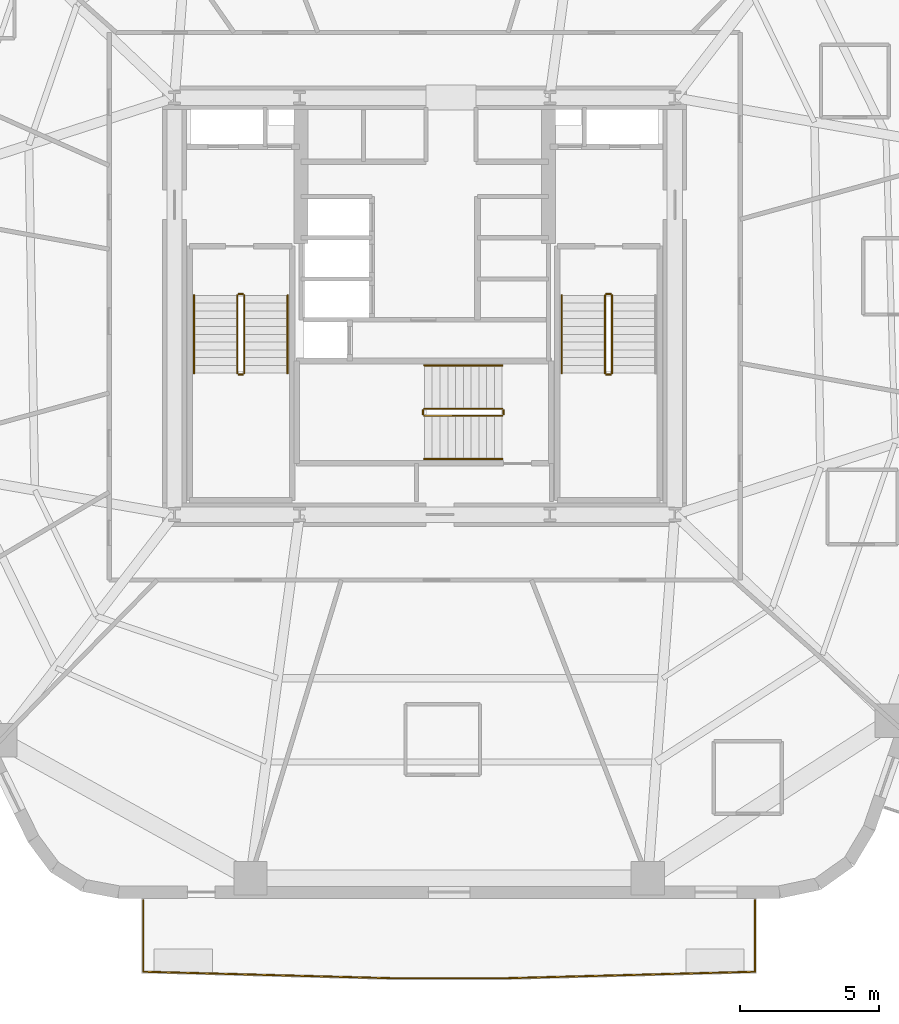
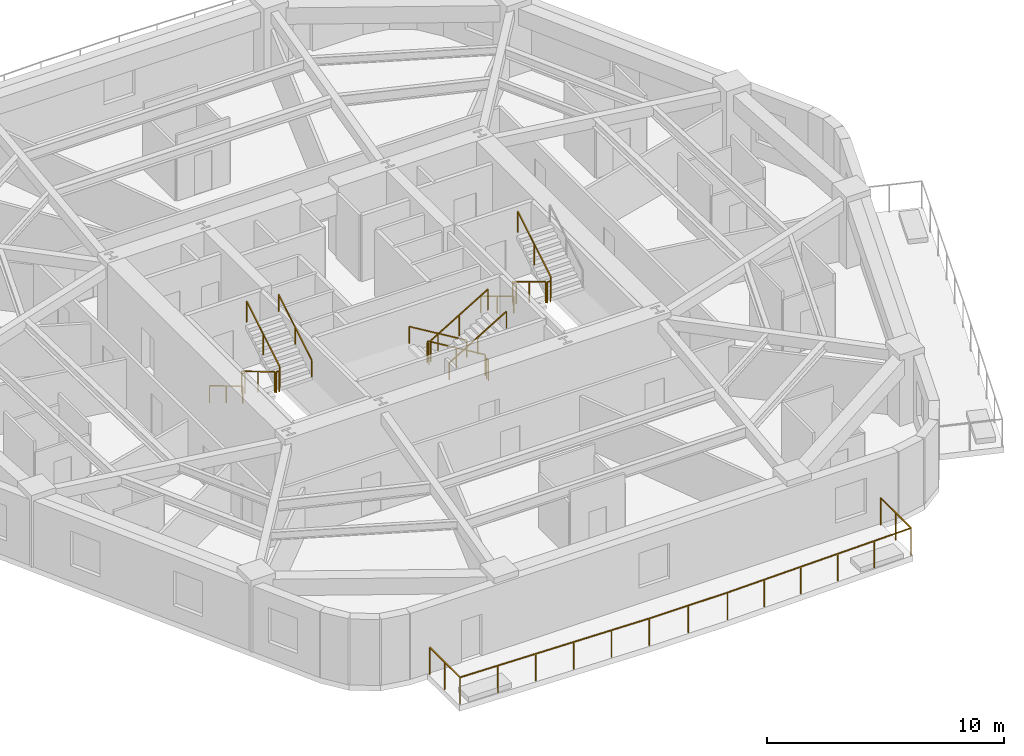
# One storey, part 7 of 8: 18 railings.
"""IFC4 building model written with IfcOpenShell, lengths in metres."""

import ifcopenshell
import ifcopenshell.guid

model = None  # the IFC model being written
_history = None  # IfcOwnerHistory: only IFC2X3 demands one
_inside = {}  # id of a spatial element -> (the spatial element, [elements in it])
_under = {}  # id of a project, library or spatial element -> (it, [spatial elements below it])
_declared = {}  # id of a project -> (the project, [libraries it declares])
_typed = {}  # id of a type object -> (the type object, [elements of that type])
_made_of = {}  # id of a material, layer set ... -> (it, [elements and type objects made of it])


def new_model(schema):
    """Start an empty IFC model of exactly this schema.

    Asked for "IFC4X3", IfcOpenShell would pick the latest addendum, in which some entities
    have other attributes; the version numbers below select the first issue.
    IFC2X3 requires an IfcOwnerHistory on every rooted entity: one is made here for all.
    """
    global model, _history
    if schema == "IFC4X3":
        model = ifcopenshell.file(schema_version=(4, 3, 0, 0))
    else:
        model = ifcopenshell.file(schema=schema)
    _inside.clear()
    _under.clear()
    _declared.clear()
    _typed.clear()
    _made_of.clear()
    _history = None
    if model.schema == "IFC2X3":
        org = make("IfcOrganization", Name="unknown")
        user = make(
            "IfcPersonAndOrganization",
            ThePerson=make("IfcPerson", FamilyName="unknown"),
            TheOrganization=org,
        )
        app = make(
            "IfcApplication",
            ApplicationDeveloper=org,
            Version="unknown",
            ApplicationFullName="unknown",
            ApplicationIdentifier="unknown",
        )
        _history = make(
            "IfcOwnerHistory",
            OwningUser=user,
            OwningApplication=app,
            ChangeAction="ADDED",
            CreationDate=0,
        )
    return model


def make(cls, **values):
    """One entity of the class cls with the attributes given. An attribute that is None is left unset."""
    return model.create_entity(
        cls, **{name: value for name, value in values.items() if value is not None}
    )


def rooted(cls, **values):
    """An entity with a GlobalId (a new one), such as an element, a storey or a relation."""
    return make(cls, GlobalId=ifcopenshell.guid.new(), OwnerHistory=_history, **values)


def si_unit(unit_type, name, prefix=None):
    """IfcSIUnit, for example si_unit("LENGTHUNIT", "METRE", prefix="MILLI")."""
    return make("IfcSIUnit", UnitType=unit_type, Prefix=prefix, Name=name)


def assignment(units):
    """IfcUnitAssignment: the units of a project."""
    return None if units is None else make("IfcUnitAssignment", Units=units)


def point(xyz):
    """IfcCartesianPoint."""
    return None if xyz is None else make("IfcCartesianPoint", Coordinates=xyz)


def direction(xyz):
    """IfcDirection."""
    return None if xyz is None else make("IfcDirection", DirectionRatios=xyz)


def frame(location, z_axis=None, x_axis=None):
    """IfcAxis2Placement3D, a coordinate frame: its origin and axes. An axis left out is left unset."""
    return make(
        "IfcAxis2Placement3D",
        Location=point(location),
        Axis=direction(z_axis),
        RefDirection=direction(x_axis),
    )


def frame_2d(location, x_axis=None):
    """IfcAxis2Placement2D, a coordinate frame in the plane: its origin and x axis."""
    return make(
        "IfcAxis2Placement2D", Location=point(location), RefDirection=direction(x_axis)
    )


def origin():
    """The frame at (0, 0, 0) with its axes left unset."""
    return frame((0.0, 0.0, 0.0))


def origin_2d():
    """The frame at (0, 0) in the plane with its x axis left unset."""
    return frame_2d((0.0, 0.0))


def place(relative_to, where):
    """IfcLocalPlacement: puts the frame where relative to a parent placement (None: the world)."""
    return make(
        "IfcLocalPlacement", PlacementRelTo=relative_to, RelativePlacement=where
    )


def context(
    kind, dimensions, precision=None, world=None, true_north=None, identifier=None
):
    """IfcGeometricRepresentationContext, for example the 3D "Model" context."""
    return make(
        "IfcGeometricRepresentationContext",
        ContextIdentifier=identifier,
        ContextType=kind,
        CoordinateSpaceDimension=dimensions,
        Precision=precision,
        WorldCoordinateSystem=world,
        TrueNorth=true_north,
    )


def subcontext(parent, identifier, kind, view, scale=None):
    """IfcGeometricRepresentationSubContext, for example "Body" below "Model"."""
    return make(
        "IfcGeometricRepresentationSubContext",
        ContextIdentifier=identifier,
        ContextType=kind,
        ParentContext=parent,
        TargetScale=scale,
        TargetView=view,
    )


def project(units=None, contexts=None):
    """IfcProject with its units and contexts."""
    return rooted(
        "IfcProject",
        Name="project",
        RepresentationContexts=contexts,
        UnitsInContext=assignment(units),
    )


def spatial(cls, under=None, at=None, **own):
    """A site, building, storey or space (cls), placed at a placement, below another one or the project."""
    s = rooted(cls, ObjectPlacement=at, **own)
    if under is not None:
        _under.setdefault(under.id(), (under, []))[1].append(s)
    return s


def profile(cls, at=None, kind="AREA", **sizes):
    """A parametric profile (cls). Its sizes go by their IFC names, for example OverallWidth=200.0."""
    return make(cls, ProfileType=kind, Position=at, **sizes)


def rectangle(**sizes):
    """IfcRectangleProfileDef."""
    return profile("IfcRectangleProfileDef", **sizes)


def extrude(swept, where, along, depth):
    """IfcExtrudedAreaSolid: the profile swept, set in the frame where, extruded along a direction by depth."""
    return make(
        "IfcExtrudedAreaSolid",
        SweptArea=swept,
        Position=where,
        ExtrudedDirection=direction(along),
        Depth=depth,
    )


def shape(context_of_items, identifier, shape_type, items):
    """IfcShapeRepresentation: the items that make up one representation, for example the "Body"."""
    return make(
        "IfcShapeRepresentation",
        ContextOfItems=context_of_items,
        RepresentationIdentifier=identifier,
        RepresentationType=shape_type,
        Items=items,
    )


def material(Name=None, Category=None):
    """IfcMaterial."""
    return make("IfcMaterial", Name=Name, Category=Category)


def layer(
    of_material, thickness, ventilated=None, Name=None, Category=None, Priority=None
):
    """IfcMaterialLayer: one layer of a wall or slab, of a material (None: an air gap)."""
    return make(
        "IfcMaterialLayer",
        Material=of_material,
        LayerThickness=thickness,
        IsVentilated=ventilated,
        Name=Name,
        Category=Category,
        Priority=Priority,
    )


def layer_set(layers, Name=None):
    """IfcMaterialLayerSet."""
    return make("IfcMaterialLayerSet", MaterialLayers=layers, LayerSetName=Name)


def made_of(thing, what):
    """Note that an element or type object is made of a material, layer set ...; save() writes the relation."""
    if what is not None:
        _made_of.setdefault(what.id(), (what, []))[1].append(thing)
    return thing


def type_object(cls, material=None, **own):
    """A type object (cls), such as IfcWallType, which elements share."""
    return made_of(rooted(cls, **own), material)


def element(
    cls,
    number,
    at=None,
    inside=None,
    cuts=None,
    type_object=None,
    material=None,
    context=None,
    identifier="Body",
    shape_type=None,
    held_by="IfcProductDefinitionShape",
    body=None,
    shapes=None,
    **own,
):
    """One element of the class cls, such as IfcWall. Its Tag is "e" and its number.

    at: its placement. inside: the storey or other place that contains it. cuts: it is an
    opening in that element (IfcRelVoidsElement). A single representation is given by context,
    identifier, shape_type and body (its items); several are given by shapes. held_by: the class
    of the entity that holds the representations. save() writes the other relations.
    """
    e = rooted(cls, Tag="e%d" % number, ObjectPlacement=at, **own)
    if body is not None:
        shapes = [shape(context, identifier, shape_type, body)]
    if shapes is not None:
        e.Representation = make(held_by, Representations=shapes)
    if inside is not None:
        _inside.setdefault(inside.id(), (inside, []))[1].append(e)
    if cuts is not None:
        rooted(
            "IfcRelVoidsElement", RelatingBuildingElement=cuts, RelatedOpeningElement=e
        )
    if type_object is not None:
        _typed.setdefault(type_object.id(), (type_object, []))[1].append(e)
    return made_of(e, material)


def aggregate(whole, parts):
    """IfcRelAggregates: a whole, such as a stair, and the parts it consists of."""
    return rooted("IfcRelAggregates", RelatingObject=whole, RelatedObjects=parts)


def save(model, path):
    """Write the relations noted so far, then the file.

    IfcRelAggregates (storeys below a building ...), IfcRelContainedInSpatialStructure (elements
    in a storey), IfcRelDefinesByType, IfcRelAssociatesMaterial and IfcRelDeclares: one each for
    every whole, place, type object, material and project.
    """
    for whole, parts in _under.values():
        aggregate(whole, parts)
    for where, things in _inside.values():
        rooted(
            "IfcRelContainedInSpatialStructure",
            RelatedElements=things,
            RelatingStructure=where,
        )
    for kind, things in _typed.values():
        rooted("IfcRelDefinesByType", RelatedObjects=things, RelatingType=kind)
    for what, things in _made_of.values():
        rooted("IfcRelAssociatesMaterial", RelatedObjects=things, RelatingMaterial=what)
    for by, libraries in _declared.values():
        rooted("IfcRelDeclares", RelatingContext=by, RelatedDefinitions=libraries)
    model.write(path)


model = new_model("IFC4")

# Units and contexts
model_context = context("Model", 3, precision=1e-05, world=origin(), true_north=direction((0.0, 1.0)))
body_context = subcontext(model_context, "Body", "Model", "MODEL_VIEW")
ifc_project = project(units=[si_unit("LENGTHUNIT", "METRE"), si_unit("AREAUNIT", "SQUARE_METRE"), si_unit("VOLUMEUNIT", "CUBIC_METRE"), si_unit("PLANEANGLEUNIT", "RADIAN"), si_unit("MASSUNIT", "GRAM", prefix="KILO")], contexts=[model_context])

# Site, building, storey
site_placement = place(None, origin())
site = spatial("IfcSite", under=ifc_project, at=site_placement, CompositionType="ELEMENT")
building_placement = place(site_placement, origin())
building = spatial("IfcBuilding", under=site, at=building_placement, Name="Kilnhurst Terrace Hotel", CompositionType="ELEMENT")
storey_placement = place(building_placement, frame((0.0, 0.0, 132.10009765625)))
storey = spatial("IfcBuildingStorey", under=building, at=storey_placement, Name="L32", CompositionType="ELEMENT", Elevation=132.10009765625)

# Railings
ifc_material_1 = material(Name="Laminated SentryGlas and Stainless Steel AISI 316L Balustrade", Category="steel")
ifc_layer_1 = layer(ifc_material_1, 0.070068359375, Name="Laminated SentryGlas and Stainless Steel AISI 316L Balustrade")
ifc_layer_set_1 = layer_set([ifc_layer_1], Name="Laminated SentryGlas and Stainless Steel AISI 316L Balustrade")
railing_type_1 = type_object("IfcRailingType", Name="RLG-BAL-1420", PredefinedType="BALUSTRADE", material=ifc_layer_set_1)
railing_1_placement = place(storey_placement, frame((11.8837890625, -21.3798828125, 0.0)))
element("IfcRailing", 1, at=railing_1_placement, inside=storey, type_object=railing_type_1, Name="L32 Exterior Terrace Guardrail BAL-L1A.1", PredefinedType="BALUSTRADE", context=body_context, shape_type="SweptSolid", body=[
    extrude(rectangle(XDim=0.048095703125, YDim=0.048095703125, at=origin_2d()), frame((0.0, 0.0, 1.39599609375), z_axis=(0.0, -1.0, 0.0), x_axis=(1.0, 0.0, 0.0)), (0.0, 0.0, 1.0), 2.561767578125),
    extrude(rectangle(XDim=0.048095703125, YDim=0.048095703125, at=origin_2d()), frame((0.0, -2.561767578125, 1.39599609375), z_axis=(-0.999657105501, -0.026185328367, 0.0), x_axis=(0.026185328367, -0.999657105501, 0.0)), (0.0, 0.0, 1.0), 9.099853515625),
    extrude(rectangle(XDim=0.048095703125, YDim=0.048095703125, at=origin_2d()), frame((-9.0966796875, -2.800048828125, 1.39599609375), z_axis=(-1.0, 0.0, 0.0), x_axis=(0.0, -1.0, 0.0)), (0.0, 0.0, 1.0), 3.8134765625),
    extrude(rectangle(XDim=0.048095703125, YDim=0.048095703125, at=origin_2d()), frame((-12.91015625, -2.800048828125, 1.39599609375), z_axis=(-0.999657105501, 0.026185328367, 0.0), x_axis=(-0.026185328367, -0.999657105501, 0.0)), (0.0, 0.0, 1.0), 9.099853515625),
    extrude(rectangle(XDim=0.048095703125, YDim=0.048095703125, at=origin_2d()), frame((-22.0068359375, -2.561767578125, 1.39599609375), z_axis=(0.0, 1.0, 0.0), x_axis=(-1.0, 0.0, 0.0)), (0.0, 0.0, 1.0), 2.561767578125),
    extrude(rectangle(XDim=0.0419921875, YDim=0.0419921875, at=origin_2d()), origin(), (0.0, 0.0, 1.0), 1.371826171875),
    extrude(rectangle(XDim=0.0419921875, YDim=0.0419921875, at=origin_2d()), frame((0.0, -1.28076171875, 0.0)), (0.0, 0.0, 1.0), 1.371826171875),
    extrude(rectangle(XDim=0.0419921875, YDim=0.0419921875, at=origin_2d()), frame((0.0, -2.561767578125, 0.0)), (0.0, 0.0, 1.0), 1.371826171875),
    extrude(rectangle(XDim=0.0419921875, YDim=0.0419921875, at=origin_2d()), frame((-1.8193359375, -2.609375, 0.0)), (0.0, 0.0, 1.0), 1.371826171875),
    extrude(rectangle(XDim=0.0419921875, YDim=0.0419921875, at=origin_2d()), frame((-3.638671875, -2.656982421875, 0.0)), (0.0, 0.0, 1.0), 1.371826171875),
    extrude(rectangle(XDim=0.0419921875, YDim=0.0419921875, at=origin_2d()), frame((-5.4580078125, -2.704833984375, 0.0)), (0.0, 0.0, 1.0), 1.371826171875),
    extrude(rectangle(XDim=0.0419921875, YDim=0.0419921875, at=origin_2d()), frame((-7.27734375, -2.75244140625, 0.0)), (0.0, 0.0, 1.0), 1.371826171875),
    extrude(rectangle(XDim=0.0419921875, YDim=0.0419921875, at=origin_2d()), frame((-9.0966796875, -2.800048828125, 0.0)), (0.0, 0.0, 1.0), 1.371826171875),
    extrude(rectangle(XDim=0.0419921875, YDim=0.0419921875, at=origin_2d()), frame((-11.00341796875, -2.800048828125, 0.0)), (0.0, 0.0, 1.0), 1.371826171875),
    extrude(rectangle(XDim=0.0419921875, YDim=0.0419921875, at=origin_2d()), frame((-12.91015625, -2.800048828125, 0.0)), (0.0, 0.0, 1.0), 1.371826171875),
    extrude(rectangle(XDim=0.0419921875, YDim=0.0419921875, at=origin_2d()), frame((-14.7294921875, -2.75244140625, 0.0)), (0.0, 0.0, 1.0), 1.371826171875),
    extrude(rectangle(XDim=0.0419921875, YDim=0.0419921875, at=origin_2d()), frame((-16.548828125, -2.704833984375, 0.0)), (0.0, 0.0, 1.0), 1.371826171875),
    extrude(rectangle(XDim=0.0419921875, YDim=0.0419921875, at=origin_2d()), frame((-18.3681640625, -2.656982421875, 0.0)), (0.0, 0.0, 1.0), 1.371826171875),
    extrude(rectangle(XDim=0.0419921875, YDim=0.0419921875, at=origin_2d()), frame((-20.1875, -2.609375, 0.0)), (0.0, 0.0, 1.0), 1.371826171875),
    extrude(rectangle(XDim=0.0419921875, YDim=0.0419921875, at=origin_2d()), frame((-22.0068359375, -2.561767578125, 0.0)), (0.0, 0.0, 1.0), 1.371826171875),
    extrude(rectangle(XDim=0.0419921875, YDim=0.0419921875, at=origin_2d()), frame((-22.0068359375, -1.28076171875, 0.0)), (0.0, 0.0, 1.0), 1.371826171875),
    extrude(rectangle(XDim=0.0419921875, YDim=0.0419921875, at=origin_2d()), frame((-22.0068359375, 0.0, 0.0)), (0.0, 0.0, 1.0), 1.371826171875),
])
ifc_material_2 = material(Name="Powder-Coated Steel ASTM A500 Grade B", Category="steel")
ifc_layer_2 = layer(ifc_material_2, 0.050048828125, Name="Powder-Coated Steel ASTM A500 Grade B")
ifc_layer_set_2 = layer_set([ifc_layer_2], Name="Powder-Coated Steel ASTM A500 Grade B")
railing_type_2 = type_object("IfcRailingType", Name="RLG-ST-GRD-1100", PredefinedType="GUARDRAIL", material=ifc_layer_set_2)
railing_2_placement = place(storey_placement, frame((-6.739990234375, 0.389892578125, 0.16796875)))
element("IfcRailing", 2, at=railing_2_placement, inside=storey, type_object=railing_type_2, Name="L32 ST-1 stair guard 1", PredefinedType="GUARDRAIL", context=body_context, shape_type="SweptSolid", body=[
    extrude(rectangle(XDim=0.048095703125, YDim=0.048095703125, at=origin_2d()), frame((0.0, 0.0, 1.076171875), z_axis=(0.0, -0.857222391501, 0.514946377315), x_axis=(1.0, 0.0, 0.0)), (0.0, 0.0, 1.0), 3.26611328125),
    extrude(rectangle(XDim=0.0419921875, YDim=0.0419921875, at=origin_2d()), origin(), (0.0, 0.0, 1.0), 1.052001953125),
    extrude(rectangle(XDim=0.0419921875, YDim=0.0419921875, at=origin_2d()), frame((0.0, -1.39990234375, 0.8408203125)), (0.0, 0.0, 1.0), 1.052001953125),
    extrude(rectangle(XDim=0.0419921875, YDim=0.0419921875, at=origin_2d()), frame((0.0, -2.7998046875, 1.681884765625)), (0.0, 0.0, 1.0), 1.052001953125),
])
railing_3_placement = place(storey_placement, frame((-6.68994140625, -2.4599609375, 1.849853515625)))
element("IfcRailing", 3, at=railing_3_placement, inside=storey, type_object=railing_type_2, Name="L32 ST-1 stair guard 2", PredefinedType="GUARDRAIL", context=body_context, shape_type="SweptSolid", body=[
    extrude(rectangle(XDim=0.048095703125, YDim=0.048095703125, at=origin_2d()), frame((0.0, 0.0, 1.076171875), z_axis=(1.0, 0.0, 0.0), x_axis=(0.0, 1.0, 0.0)), (0.0, 0.0, 1.0), 0.14990234375),
    extrude(rectangle(XDim=0.0419921875, YDim=0.0419921875, at=origin_2d()), origin(), (0.0, 0.0, 1.0), 1.052001953125),
    extrude(rectangle(XDim=0.0419921875, YDim=0.0419921875, at=origin_2d()), frame((0.14990234375, 0.0, 0.0)), (0.0, 0.0, 1.0), 1.052001953125),
])
railing_4_placement = place(storey_placement, frame((-6.489990234375, -2.409912109375, 2.01806640625)))
element("IfcRailing", 4, at=railing_4_placement, inside=storey, type_object=railing_type_2, Name="L32 ST-1 stair guard 3", PredefinedType="GUARDRAIL", context=body_context, shape_type="SweptSolid", body=[
    extrude(rectangle(XDim=0.048095703125, YDim=0.048095703125, at=origin_2d()), frame((0.0, 0.0, 1.076171875), z_axis=(0.0, 0.857222391501, 0.514946377315), x_axis=(-1.0, 0.0, 0.0)), (0.0, 0.0, 1.0), 3.26611328125),
    extrude(rectangle(XDim=0.0419921875, YDim=0.0419921875, at=origin_2d()), origin(), (0.0, 0.0, 1.0), 1.052001953125),
    extrude(rectangle(XDim=0.0419921875, YDim=0.0419921875, at=origin_2d()), frame((0.0, 1.39990234375, 0.8408203125)), (0.0, 0.0, 1.0), 1.052001953125),
    extrude(rectangle(XDim=0.0419921875, YDim=0.0419921875, at=origin_2d()), frame((0.0, 2.7998046875, 1.681884765625)), (0.0, 0.0, 1.0), 1.052001953125),
])
railing_5_placement = place(storey_placement, frame((-6.68994140625, 0.43994140625, 0.0)))
element("IfcRailing", 5, at=railing_5_placement, inside=storey, type_object=railing_type_2, Name="L32 ST-1 stair guard 4", PredefinedType="GUARDRAIL", context=body_context, shape_type="SweptSolid", body=[
    extrude(rectangle(XDim=0.048095703125, YDim=0.048095703125, at=origin_2d()), frame((0.0, 0.0, 1.076171875), z_axis=(1.0, 0.0, 0.0), x_axis=(0.0, 1.0, 0.0)), (0.0, 0.0, 1.0), 0.14990234375),
    extrude(rectangle(XDim=0.0419921875, YDim=0.0419921875, at=origin_2d()), origin(), (0.0, 0.0, 1.0), 1.052001953125),
    extrude(rectangle(XDim=0.0419921875, YDim=0.0419921875, at=origin_2d()), frame((0.14990234375, 0.0, 0.0)), (0.0, 0.0, 1.0), 1.052001953125),
])
railing_6_placement = place(storey_placement, frame((6.489990234375, 0.389892578125, 0.16796875)))
element("IfcRailing", 6, at=railing_6_placement, inside=storey, type_object=railing_type_2, Name="L32 ST-2 stair guard 1", PredefinedType="GUARDRAIL", context=body_context, shape_type="SweptSolid", body=[
    extrude(rectangle(XDim=0.048095703125, YDim=0.048095703125, at=origin_2d()), frame((0.0, 0.0, 1.076171875), z_axis=(0.0, -0.857222391501, 0.514946377315), x_axis=(1.0, 0.0, 0.0)), (0.0, 0.0, 1.0), 3.26611328125),
    extrude(rectangle(XDim=0.0419921875, YDim=0.0419921875, at=origin_2d()), origin(), (0.0, 0.0, 1.0), 1.052001953125),
    extrude(rectangle(XDim=0.0419921875, YDim=0.0419921875, at=origin_2d()), frame((0.0, -1.39990234375, 0.8408203125)), (0.0, 0.0, 1.0), 1.052001953125),
    extrude(rectangle(XDim=0.0419921875, YDim=0.0419921875, at=origin_2d()), frame((0.0, -2.7998046875, 1.681884765625)), (0.0, 0.0, 1.0), 1.052001953125),
])
railing_7_placement = place(storey_placement, frame((6.5400390625, -2.4599609375, 1.849853515625)))
element("IfcRailing", 7, at=railing_7_placement, inside=storey, type_object=railing_type_2, Name="L32 ST-2 stair guard 2", PredefinedType="GUARDRAIL", context=body_context, shape_type="SweptSolid", body=[
    extrude(rectangle(XDim=0.048095703125, YDim=0.048095703125, at=origin_2d()), frame((0.0, 0.0, 1.076171875), z_axis=(1.0, 0.0, 0.0), x_axis=(0.0, 1.0, 0.0)), (0.0, 0.0, 1.0), 0.14990234375),
    extrude(rectangle(XDim=0.0419921875, YDim=0.0419921875, at=origin_2d()), origin(), (0.0, 0.0, 1.0), 1.052001953125),
    extrude(rectangle(XDim=0.0419921875, YDim=0.0419921875, at=origin_2d()), frame((0.14990234375, 0.0, 0.0)), (0.0, 0.0, 1.0), 1.052001953125),
])
railing_8_placement = place(storey_placement, frame((6.739990234375, -2.409912109375, 2.01806640625)))
element("IfcRailing", 8, at=railing_8_placement, inside=storey, type_object=railing_type_2, Name="L32 ST-2 stair guard 3", PredefinedType="GUARDRAIL", context=body_context, shape_type="SweptSolid", body=[
    extrude(rectangle(XDim=0.048095703125, YDim=0.048095703125, at=origin_2d()), frame((0.0, 0.0, 1.076171875), z_axis=(0.0, 0.857222391501, 0.514946377315), x_axis=(-1.0, 0.0, 0.0)), (0.0, 0.0, 1.0), 3.26611328125),
    extrude(rectangle(XDim=0.0419921875, YDim=0.0419921875, at=origin_2d()), origin(), (0.0, 0.0, 1.0), 1.052001953125),
    extrude(rectangle(XDim=0.0419921875, YDim=0.0419921875, at=origin_2d()), frame((0.0, 1.39990234375, 0.8408203125)), (0.0, 0.0, 1.0), 1.052001953125),
    extrude(rectangle(XDim=0.0419921875, YDim=0.0419921875, at=origin_2d()), frame((0.0, 2.7998046875, 1.681884765625)), (0.0, 0.0, 1.0), 1.052001953125),
])
railing_9_placement = place(storey_placement, frame((6.5400390625, 0.43994140625, 0.0)))
element("IfcRailing", 9, at=railing_9_placement, inside=storey, type_object=railing_type_2, Name="L32 ST-2 stair guard 4", PredefinedType="GUARDRAIL", context=body_context, shape_type="SweptSolid", body=[
    extrude(rectangle(XDim=0.048095703125, YDim=0.048095703125, at=origin_2d()), frame((0.0, 0.0, 1.076171875), z_axis=(1.0, 0.0, 0.0), x_axis=(0.0, 1.0, 0.0)), (0.0, 0.0, 1.0), 0.14990234375),
    extrude(rectangle(XDim=0.0419921875, YDim=0.0419921875, at=origin_2d()), origin(), (0.0, 0.0, 1.0), 1.052001953125),
    extrude(rectangle(XDim=0.0419921875, YDim=0.0419921875, at=origin_2d()), frame((0.14990234375, 0.0, 0.0)), (0.0, 0.0, 1.0), 1.052001953125),
])
railing_10_placement = place(storey_placement, frame((2.7900390625, -3.68994140625, 0.16796875)))
element("IfcRailing", 10, at=railing_10_placement, inside=storey, type_object=railing_type_2, Name="L32 ST-3 stair guard 1", PredefinedType="GUARDRAIL", context=body_context, shape_type="SweptSolid", body=[
    extrude(rectangle(XDim=0.048095703125, YDim=0.048095703125, at=origin_2d()), frame((0.0, 0.0, 1.076171875), z_axis=(-0.857242210791, 0.0, 0.514913383045), x_axis=(0.0, -1.0, 0.0)), (0.0, 0.0, 1.0), 3.266357421875),
    extrude(rectangle(XDim=0.0419921875, YDim=0.0419921875, at=origin_2d()), origin(), (0.0, 0.0, 1.0), 1.052001953125),
    extrude(rectangle(XDim=0.0419921875, YDim=0.0419921875, at=origin_2d()), frame((-1.39990234375, 0.0, 0.8408203125)), (0.0, 0.0, 1.0), 1.052001953125),
    extrude(rectangle(XDim=0.0419921875, YDim=0.0419921875, at=origin_2d()), frame((-2.800048828125, 0.0, 1.681884765625)), (0.0, 0.0, 1.0), 1.052001953125),
])
railing_11_placement = place(storey_placement, frame((-0.06005859375, -3.739990234375, 1.849853515625)))
element("IfcRailing", 11, at=railing_11_placement, inside=storey, type_object=railing_type_2, Name="L32 ST-3 stair guard 2", PredefinedType="GUARDRAIL", context=body_context, shape_type="SweptSolid", body=[
    extrude(rectangle(XDim=0.048095703125, YDim=0.048095703125, at=origin_2d()), frame((0.0, 0.0, 1.076171875), z_axis=(0.0, -1.0, 0.0), x_axis=(1.0, 0.0, 0.0)), (0.0, 0.0, 1.0), 0.14990234375),
    extrude(rectangle(XDim=0.0419921875, YDim=0.0419921875, at=origin_2d()), origin(), (0.0, 0.0, 1.0), 1.052001953125),
    extrude(rectangle(XDim=0.0419921875, YDim=0.0419921875, at=origin_2d()), frame((0.0, -0.14990234375, 0.0)), (0.0, 0.0, 1.0), 1.052001953125),
])
railing_12_placement = place(storey_placement, frame((-0.010009765625, -3.93994140625, 2.01806640625)))
element("IfcRailing", 12, at=railing_12_placement, inside=storey, type_object=railing_type_2, Name="L32 ST-3 stair guard 3", PredefinedType="GUARDRAIL", context=body_context, shape_type="SweptSolid", body=[
    extrude(rectangle(XDim=0.048095703125, YDim=0.048095703125, at=origin_2d()), frame((0.0, 0.0, 1.076171875), z_axis=(0.857242210791, 0.0, 0.514913383045), x_axis=(0.0, 1.0, 0.0)), (0.0, 0.0, 1.0), 3.266357421875),
    extrude(rectangle(XDim=0.0419921875, YDim=0.0419921875, at=origin_2d()), origin(), (0.0, 0.0, 1.0), 1.052001953125),
    extrude(rectangle(XDim=0.0419921875, YDim=0.0419921875, at=origin_2d()), frame((1.39990234375, 0.0, 0.8408203125)), (0.0, 0.0, 1.0), 1.052001953125),
    extrude(rectangle(XDim=0.0419921875, YDim=0.0419921875, at=origin_2d()), frame((2.800048828125, 0.0, 1.681884765625)), (0.0, 0.0, 1.0), 1.052001953125),
])
railing_13_placement = place(storey_placement, frame((2.840087890625, -3.739990234375, 0.0)))
element("IfcRailing", 13, at=railing_13_placement, inside=storey, type_object=railing_type_2, Name="L32 ST-3 stair guard 4", PredefinedType="GUARDRAIL", context=body_context, shape_type="SweptSolid", body=[
    extrude(rectangle(XDim=0.048095703125, YDim=0.048095703125, at=origin_2d()), frame((0.0, 0.0, 1.076171875), z_axis=(0.0, -1.0, 0.0), x_axis=(1.0, 0.0, 0.0)), (0.0, 0.0, 1.0), 0.14990234375),
    extrude(rectangle(XDim=0.0419921875, YDim=0.0419921875, at=origin_2d()), origin(), (0.0, 0.0, 1.0), 1.052001953125),
    extrude(rectangle(XDim=0.0419921875, YDim=0.0419921875, at=origin_2d()), frame((0.0, -0.14990234375, 0.0)), (0.0, 0.0, 1.0), 1.052001953125),
])
ifc_material_3 = material(Name="Brushed Stainless Steel AISI 304", Category="steel")
ifc_layer_3 = layer(ifc_material_3, 0.048095703125, Name="Brushed Stainless Steel AISI 304")
ifc_layer_set_3 = layer_set([ifc_layer_3], Name="Brushed Stainless Steel AISI 304")
railing_type_3 = type_object("IfcRailingType", Name="RLG-ST-HRL-900", PredefinedType="HANDRAIL", material=ifc_layer_set_3)
railing_14_placement = place(storey_placement, frame((-8.300048828125, 0.389892578125, 0.16796875)))
element("IfcRailing", 14, at=railing_14_placement, inside=storey, type_object=railing_type_3, Name="L32 ST-1 stair handrail 1", PredefinedType="HANDRAIL", context=body_context, shape_type="SweptSolid", body=[
    extrude(rectangle(XDim=0.048095703125, YDim=0.048095703125, at=origin_2d()), frame((0.0, 0.0, 0.8759765625), z_axis=(0.0, -0.857222391501, 0.514946377315), x_axis=(1.0, 0.0, 0.0)), (0.0, 0.0, 1.0), 3.26611328125),
    extrude(rectangle(XDim=0.0419921875, YDim=0.0419921875, at=origin_2d()), origin(), (0.0, 0.0, 1.0), 0.851806640625),
    extrude(rectangle(XDim=0.0419921875, YDim=0.0419921875, at=origin_2d()), frame((0.0, -1.39990234375, 0.8408203125)), (0.0, 0.0, 1.0), 0.851806640625),
    extrude(rectangle(XDim=0.0419921875, YDim=0.0419921875, at=origin_2d()), frame((0.0, -2.7998046875, 1.681884765625)), (0.0, 0.0, 1.0), 0.851806640625),
])
railing_15_placement = place(storey_placement, frame((-4.929931640625, -2.409912109375, 2.01806640625)))
element("IfcRailing", 15, at=railing_15_placement, inside=storey, type_object=railing_type_3, Name="L32 ST-1 stair handrail 2", PredefinedType="HANDRAIL", context=body_context, shape_type="SweptSolid", body=[
    extrude(rectangle(XDim=0.048095703125, YDim=0.048095703125, at=origin_2d()), frame((0.0, 0.0, 0.8759765625), z_axis=(0.0, 0.857222391501, 0.514946377315), x_axis=(-1.0, 0.0, 0.0)), (0.0, 0.0, 1.0), 3.26611328125),
    extrude(rectangle(XDim=0.0419921875, YDim=0.0419921875, at=origin_2d()), origin(), (0.0, 0.0, 1.0), 0.851806640625),
    extrude(rectangle(XDim=0.0419921875, YDim=0.0419921875, at=origin_2d()), frame((0.0, 1.39990234375, 0.8408203125)), (0.0, 0.0, 1.0), 0.851806640625),
    extrude(rectangle(XDim=0.0419921875, YDim=0.0419921875, at=origin_2d()), frame((0.0, 2.7998046875, 1.681884765625)), (0.0, 0.0, 1.0), 0.851806640625),
])
railing_16_placement = place(storey_placement, frame((4.929931640625, 0.389892578125, 0.16796875)))
element("IfcRailing", 16, at=railing_16_placement, inside=storey, type_object=railing_type_3, Name="L32 ST-2 stair handrail 1", PredefinedType="HANDRAIL", context=body_context, shape_type="SweptSolid", body=[
    extrude(rectangle(XDim=0.048095703125, YDim=0.048095703125, at=origin_2d()), frame((0.0, 0.0, 0.8759765625), z_axis=(0.0, -0.857222391501, 0.514946377315), x_axis=(1.0, 0.0, 0.0)), (0.0, 0.0, 1.0), 3.26611328125),
    extrude(rectangle(XDim=0.0419921875, YDim=0.0419921875, at=origin_2d()), origin(), (0.0, 0.0, 1.0), 0.851806640625),
    extrude(rectangle(XDim=0.0419921875, YDim=0.0419921875, at=origin_2d()), frame((0.0, -1.39990234375, 0.8408203125)), (0.0, 0.0, 1.0), 0.851806640625),
    extrude(rectangle(XDim=0.0419921875, YDim=0.0419921875, at=origin_2d()), frame((0.0, -2.7998046875, 1.681884765625)), (0.0, 0.0, 1.0), 0.851806640625),
])
railing_17_placement = place(storey_placement, frame((2.7900390625, -2.1298828125, 0.16796875)))
element("IfcRailing", 17, at=railing_17_placement, inside=storey, type_object=railing_type_3, Name="L32 ST-3 stair handrail 1", PredefinedType="HANDRAIL", context=body_context, shape_type="SweptSolid", body=[
    extrude(rectangle(XDim=0.048095703125, YDim=0.048095703125, at=origin_2d()), frame((0.0, 0.0, 0.8759765625), z_axis=(-0.857242210791, 0.0, 0.514913383045), x_axis=(0.0, -1.0, 0.0)), (0.0, 0.0, 1.0), 3.266357421875),
    extrude(rectangle(XDim=0.0419921875, YDim=0.0419921875, at=origin_2d()), origin(), (0.0, 0.0, 1.0), 0.851806640625),
    extrude(rectangle(XDim=0.0419921875, YDim=0.0419921875, at=origin_2d()), frame((-1.39990234375, 0.0, 0.8408203125)), (0.0, 0.0, 1.0), 0.851806640625),
    extrude(rectangle(XDim=0.0419921875, YDim=0.0419921875, at=origin_2d()), frame((-2.800048828125, 0.0, 1.681884765625)), (0.0, 0.0, 1.0), 0.851806640625),
])
railing_18_placement = place(storey_placement, frame((-0.010009765625, -5.5, 2.01806640625)))
element("IfcRailing", 18, at=railing_18_placement, inside=storey, type_object=railing_type_3, Name="L32 ST-3 stair handrail 2", PredefinedType="HANDRAIL", context=body_context, shape_type="SweptSolid", body=[
    extrude(rectangle(XDim=0.048095703125, YDim=0.048095703125, at=origin_2d()), frame((0.0, 0.0, 0.8759765625), z_axis=(0.857242210791, 0.0, 0.514913383045), x_axis=(0.0, 1.0, 0.0)), (0.0, 0.0, 1.0), 3.266357421875),
    extrude(rectangle(XDim=0.0419921875, YDim=0.0419921875, at=origin_2d()), origin(), (0.0, 0.0, 1.0), 0.851806640625),
    extrude(rectangle(XDim=0.0419921875, YDim=0.0419921875, at=origin_2d()), frame((1.39990234375, 0.0, 0.8408203125)), (0.0, 0.0, 1.0), 0.851806640625),
    extrude(rectangle(XDim=0.0419921875, YDim=0.0419921875, at=origin_2d()), frame((2.800048828125, 0.0, 1.681884765625)), (0.0, 0.0, 1.0), 0.851806640625),
])

save(model, "model.ifc")
